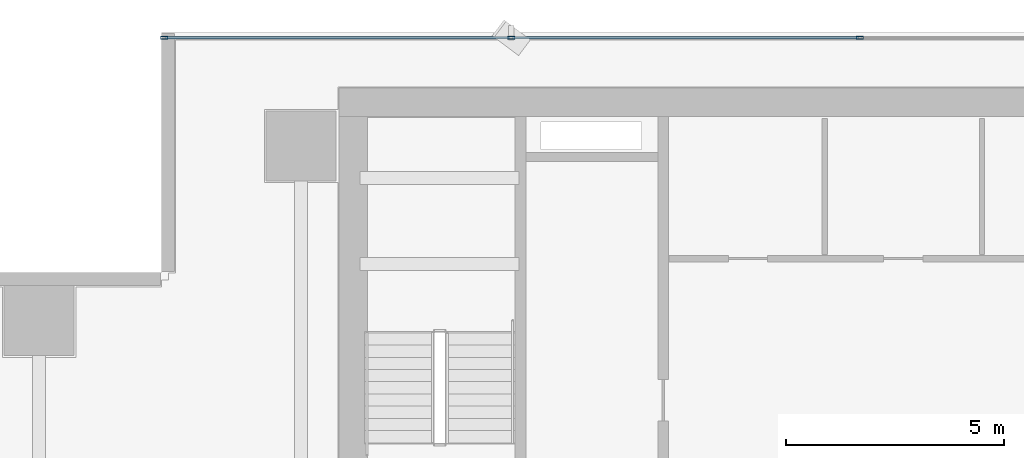
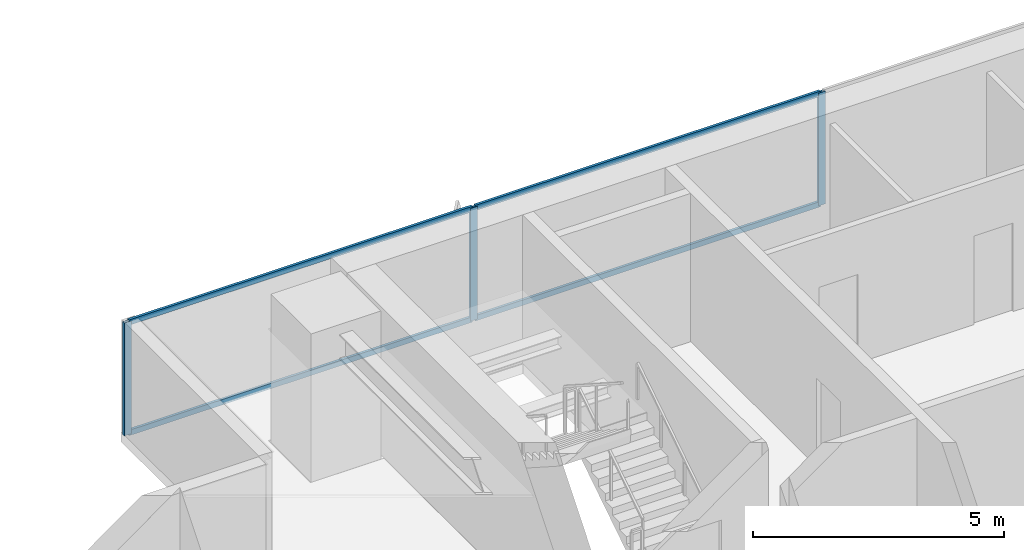
# One storey, part 20 of 35: 7 members, 1 element without a shape of its own.
"""IFC4 building model written with IfcOpenShell, lengths in metres."""

from ifc_helpers import new_model, si_unit, direction, frame, origin, origin_2d, place, context, subcontext, project, spatial, hollow_rectangle, extrude, source, transform, mapped, material, layer, layer_set, material_profile, profile_set, type_object, element, aggregate, save


model = new_model("IFC4")

# Units and contexts
model_context = context("Model", 3, precision=1e-05, world=origin(), true_north=direction((0.0, 1.0)))
body_context = subcontext(model_context, "Body", "Model", "MODEL_VIEW")
ifc_project = project(units=[si_unit("LENGTHUNIT", "METRE"), si_unit("AREAUNIT", "SQUARE_METRE"), si_unit("VOLUMEUNIT", "CUBIC_METRE"), si_unit("PLANEANGLEUNIT", "RADIAN"), si_unit("MASSUNIT", "GRAM", prefix="KILO")], contexts=[model_context])

# Site, building, storey
site_placement = place(None, origin())
site = spatial("IfcSite", under=ifc_project, at=site_placement, CompositionType="ELEMENT")
building_placement = place(site_placement, origin())
building = spatial("IfcBuilding", under=site, at=building_placement, Name="Sumidabori Civic Tower", CompositionType="ELEMENT")
storey_placement = place(building_placement, frame((0.0, 0.0, 102.800048828125)))
storey = spatial("IfcBuildingStorey", under=building, at=storey_placement, Name="L26", CompositionType="ELEMENT", Elevation=102.800048828125)

# Curtain wall, members
ifc_material = material(Name="Anodised Bronze Aluminium AW-6063-T6", Category="aluminium")
ifc_layer = layer(ifc_material, 0.179931640625, Name="Anodised Bronze Aluminium AW-6063-T6")
ifc_layer_set = layer_set([ifc_layer], Name="Anodised Bronze Aluminium AW-6063-T6")
curtain_wall_type = type_object("IfcCurtainWallType", Name="CW-SYS-3", PredefinedType="NOTDEFINED", material=ifc_layer_set)
curtain_wall_placement = place(storey_placement, origin())
curtain_wall = element("IfcCurtainWall", 1, at=curtain_wall_placement, inside=storey, type_object=curtain_wall_type, Name="Curtain Wall CW:L26:R07", PredefinedType="NOTDEFINED")
ifc_material_profile_1 = material_profile(ifc_material, hollow_rectangle(XDim=0.06494140625, YDim=0.159912109375, WallThickness=0.0048828125, at=origin_2d()), Name="ALU MULLION 160x65")
ifc_profile_set_1 = profile_set([ifc_material_profile_1], Name="Anodised Bronze Aluminium AW-6063-T6")
member_type_1 = type_object("IfcMemberType", Name="CW-MUL-160", PredefinedType="MULLION", material=ifc_profile_set_1)
shared_shape_1 = source(origin(), body_context, "Body", "SweptSolid", [
    extrude(hollow_rectangle(XDim=0.06494140625, YDim=0.159912109375, WallThickness=0.0048828125, at=origin_2d()), origin(), (0.0, 0.0, 1.0), 2.739990234375),
])
member_1_placement = place(storey_placement, frame((-3.993896484375, 25.280029296875, 0.0), z_axis=(0.0, 0.0, 1.0), x_axis=(0.0, -1.0, 0.0)))
member_1 = element("IfcMember", 2, at=member_1_placement, type_object=member_type_1, Name="CW-3 mullion 4", PredefinedType="MULLION", context=body_context, shape_type="MappedRepresentation", body=[
    mapped(shared_shape_1, transform((0.0, 0.0, 0.0), x_axis=(1.0, 0.0, 0.0), y_axis=(0.0, 1.0, 0.0), z_axis=(0.0, 0.0, 1.0), scale=1.0)),
])
member_2_placement = place(storey_placement, frame((-11.98193359375, 25.280029296875, 0.0), z_axis=(0.0, 0.0, 1.0), x_axis=(0.0, -1.0, 0.0)))
member_2 = element("IfcMember", 3, at=member_2_placement, type_object=member_type_1, Name="CW-3 mullion 5", PredefinedType="MULLION", context=body_context, shape_type="MappedRepresentation", body=[
    mapped(shared_shape_1, transform((0.0, 0.0, 0.0), x_axis=(1.0, 0.0, 0.0), y_axis=(0.0, 1.0, 0.0), z_axis=(0.0, 0.0, 1.0), scale=1.0)),
])
member_3_placement = place(storey_placement, frame((-19.9375, 25.280029296875, 0.0), z_axis=(0.0, 0.0, 1.0), x_axis=(0.0, -1.0, 0.0)))
member_3 = element("IfcMember", 4, at=member_3_placement, type_object=member_type_1, Name="CW-3 mullion 6", PredefinedType="MULLION", context=body_context, shape_type="MappedRepresentation", body=[
    mapped(shared_shape_1, transform((0.0, 0.0, 0.0), x_axis=(1.0, 0.0, 0.0), y_axis=(0.0, 1.0, 0.0), z_axis=(0.0, 0.0, 1.0), scale=1.0)),
])
ifc_material_profile_2 = material_profile(ifc_material, hollow_rectangle(XDim=0.06005859375, YDim=0.1298828125, WallThickness=0.0048828125, at=origin_2d()), Name="ALU TRANSOM 130x60")
ifc_profile_set_2 = profile_set([ifc_material_profile_2], Name="Anodised Bronze Aluminium AW-6063-T6")
member_type_2 = type_object("IfcMemberType", Name="CW-TRN-130", PredefinedType="USERDEFINED", material=ifc_profile_set_2)
shared_shape_2 = source(origin(), body_context, "Body", "SweptSolid", [
    extrude(hollow_rectangle(XDim=0.06005859375, YDim=0.1298828125, WallThickness=0.0048828125, at=origin_2d()), origin(), (0.0, 0.0, 1.0), 7.890625),
])
member_4_placement = place(storey_placement, frame((-12.014404296875, 25.280029296875, 0.030029296875), z_axis=(-1.0, 0.0, 0.0), x_axis=(0.0, -1.0, 0.0)))
member_4 = element("IfcMember", 5, at=member_4_placement, type_object=member_type_2, Name="CW-3 transom 5.1", ObjectType="TRANSOM", PredefinedType="USERDEFINED", context=body_context, shape_type="MappedRepresentation", body=[
    mapped(shared_shape_2, transform((0.0, 0.0, 0.0), x_axis=(1.0, 0.0, 0.0), y_axis=(0.0, 1.0, 0.0), z_axis=(0.0, 0.0, 1.0), scale=1.0)),
])
member_5_placement = place(storey_placement, frame((-12.014404296875, 25.280029296875, 2.7099609375), z_axis=(-1.0, 0.0, 0.0), x_axis=(0.0, -1.0, 0.0)))
member_5 = element("IfcMember", 6, at=member_5_placement, type_object=member_type_2, Name="CW-3 transom 5.2", ObjectType="TRANSOM", PredefinedType="USERDEFINED", context=body_context, shape_type="MappedRepresentation", body=[
    mapped(shared_shape_2, transform((0.0, 0.0, 0.0), x_axis=(1.0, 0.0, 0.0), y_axis=(0.0, 1.0, 0.0), z_axis=(0.0, 0.0, 1.0), scale=1.0)),
])
shared_shape_3 = source(origin(), body_context, "Body", "SweptSolid", [
    extrude(hollow_rectangle(XDim=0.06005859375, YDim=0.1298828125, WallThickness=0.0048828125, at=origin_2d()), origin(), (0.0, 0.0, 1.0), 7.9228515625),
])
member_6_placement = place(storey_placement, frame((-4.026611328125, 25.280029296875, 0.030029296875), z_axis=(-1.0, 0.0, 0.0), x_axis=(0.0, -1.0, 0.0)))
member_6 = element("IfcMember", 7, at=member_6_placement, type_object=member_type_2, Name="CW-3 transom 4.1", ObjectType="TRANSOM", PredefinedType="USERDEFINED", context=body_context, shape_type="MappedRepresentation", body=[
    mapped(shared_shape_3, transform((0.0, 0.0, 0.0), x_axis=(1.0, 0.0, 0.0), y_axis=(0.0, 1.0, 0.0), z_axis=(0.0, 0.0, 1.0), scale=1.0)),
])
member_7_placement = place(storey_placement, frame((-4.026611328125, 25.280029296875, 2.7099609375), z_axis=(-1.0, 0.0, 0.0), x_axis=(0.0, -1.0, 0.0)))
member_7 = element("IfcMember", 8, at=member_7_placement, type_object=member_type_2, Name="CW-3 transom 4.2", ObjectType="TRANSOM", PredefinedType="USERDEFINED", context=body_context, shape_type="MappedRepresentation", body=[
    mapped(shared_shape_3, transform((0.0, 0.0, 0.0), x_axis=(1.0, 0.0, 0.0), y_axis=(0.0, 1.0, 0.0), z_axis=(0.0, 0.0, 1.0), scale=1.0)),
])
aggregate(curtain_wall, [member_1, member_2, member_3, member_6, member_7, member_4, member_5])

save(model, "model.ifc")
